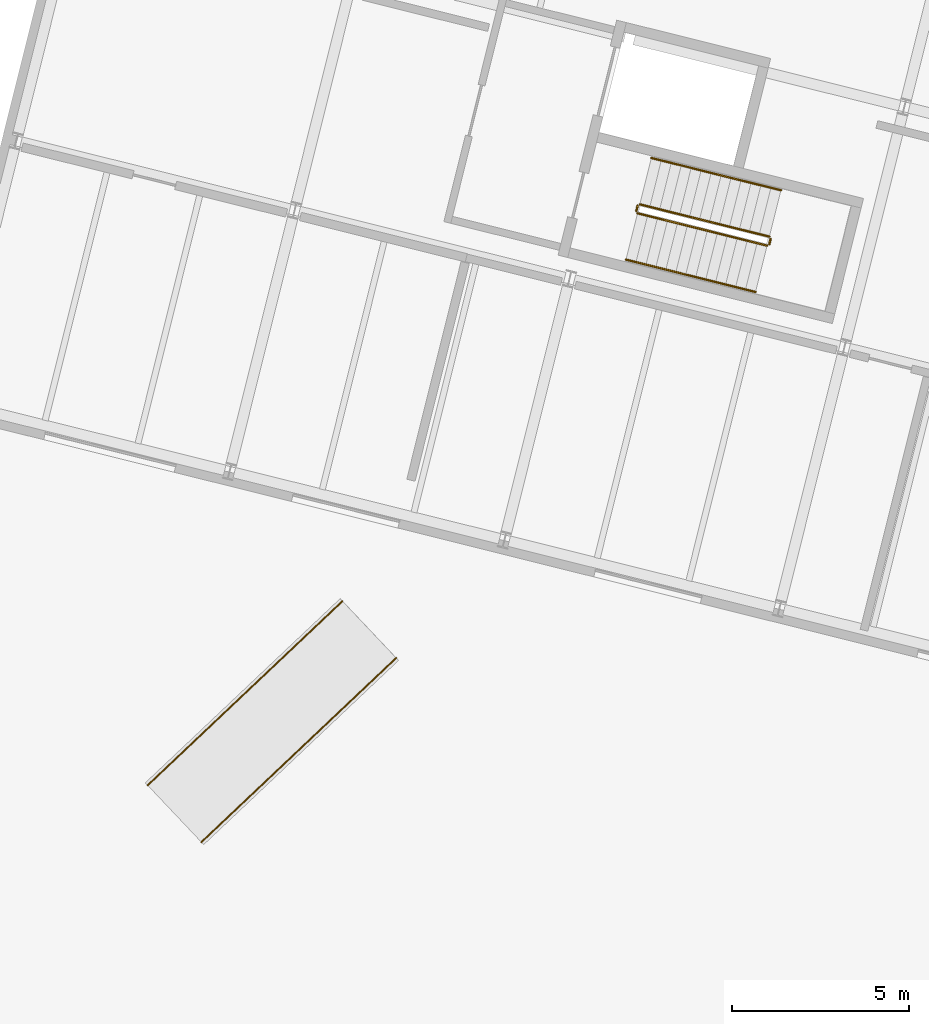
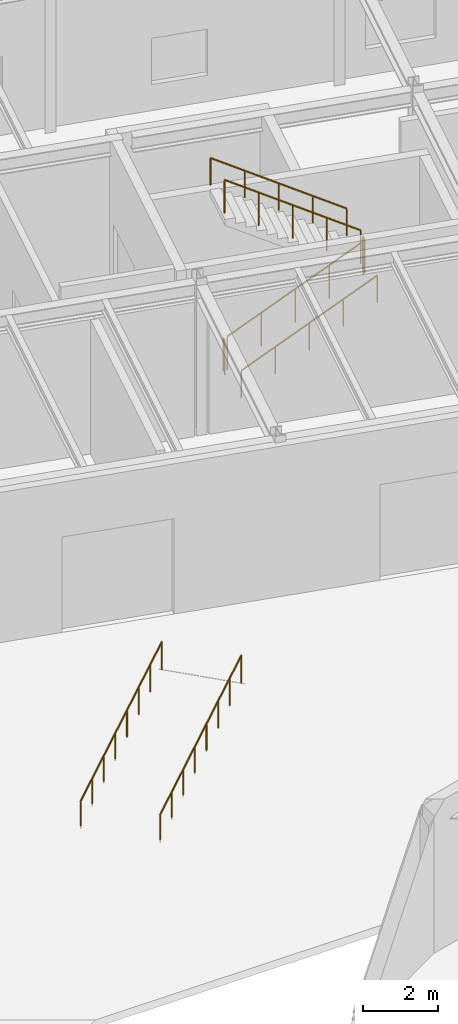
# One storey, part 91 of 97: 8 railings.
"""IFC4 building model written with IfcOpenShell, lengths in metres."""

from ifc_helpers import new_model, si_unit, direction, frame, origin, origin_2d, place, context, subcontext, project, spatial, circle, extrude, material, type_object, element, save


model = new_model("IFC4")

# Units and contexts
model_context = context("Model", 3, precision=1e-05, world=origin(), true_north=direction((0.0, 1.0)))
body_context = subcontext(model_context, "Body", "Model", "MODEL_VIEW")
ifc_project = project(units=[si_unit("LENGTHUNIT", "METRE"), si_unit("AREAUNIT", "SQUARE_METRE"), si_unit("VOLUMEUNIT", "CUBIC_METRE"), si_unit("PLANEANGLEUNIT", "RADIAN"), si_unit("MASSUNIT", "GRAM", prefix="KILO")], contexts=[model_context])

# Site, building, storey
site_placement = place(None, origin())
site = spatial("IfcSite", under=ifc_project, at=site_placement, CompositionType="ELEMENT")
building_placement = place(site_placement, origin())
building = spatial("IfcBuilding", under=site, at=building_placement, Name="Varnklinge Art Gallery", CompositionType="ELEMENT")
storey_placement = place(building_placement, origin())
storey = spatial("IfcBuildingStorey", under=building, at=storey_placement, Name="L00", CompositionType="ELEMENT", Elevation=0.0)

# Railings
ifc_material_1 = material(Name="Steel S355", Category="steel")
railing_type_1 = type_object("IfcRailingType", Name="GR-INT", PredefinedType="GUARDRAIL", material=ifc_material_1)
railing_1_placement = place(storey_placement, frame((25.0751953125, 90.95556640625, 0.18212890625)))
element("IfcRailing", 1, at=railing_1_placement, inside=storey, type_object=railing_type_1, Name="L00 ST-04 stair guard 1", PredefinedType="GUARDRAIL", context=body_context, shape_type="SweptSolid", body=[
    extrude(circle(Radius=0.02392578125, at=origin_2d()), frame((0.0, 0.0, 1.076171875), z_axis=(0.821675302073, -0.204870457057, 0.531862570396), x_axis=(0.241926114739, 0.970294674317, 0.0)), (0.0, 0.0, 1.0), 4.4521484375),
    extrude(circle(Radius=0.02099609375, at=origin_2d()), origin(), (0.0, 0.0, 1.0), 1.052001953125),
    extrude(circle(Radius=0.02099609375, at=origin_2d()), frame((0.91455078125, -0.22802734375, 0.592041015625)), (0.0, 0.0, 1.0), 1.052001953125),
    extrude(circle(Radius=0.02099609375, at=origin_2d()), frame((1.8291015625, -0.4560546875, 1.18408203125)), (0.0, 0.0, 1.0), 1.052001953125),
    extrude(circle(Radius=0.02099609375, at=origin_2d()), frame((2.74365234375, -0.68408203125, 1.77587890625)), (0.0, 0.0, 1.0), 1.052001953125),
    extrude(circle(Radius=0.02099609375, at=origin_2d()), frame((3.658203125, -0.912109375, 2.367919921875)), (0.0, 0.0, 1.0), 1.052001953125),
])
railing_2_placement = place(storey_placement, frame((28.7939453125, 90.079833984375, 2.550048828125)))
element("IfcRailing", 2, at=railing_2_placement, inside=storey, type_object=railing_type_1, Name="L00 ST-04 stair guard 2", PredefinedType="GUARDRAIL", context=body_context, shape_type="SweptSolid", body=[
    extrude(circle(Radius=0.02392578125, at=origin_2d()), frame((0.0, 0.0, 1.076171875), z_axis=(0.241099176539, 0.970500482778, 0.0), x_axis=(-0.970500482778, 0.241099176539, 0.0)), (0.0, 0.0, 1.0), 0.159912109375),
    extrude(circle(Radius=0.02099609375, at=origin_2d()), origin(), (0.0, 0.0, 1.0), 1.052001953125),
    extrude(circle(Radius=0.02099609375, at=origin_2d()), frame((0.03857421875, 0.1552734375, 0.0)), (0.0, 0.0, 1.0), 1.052001953125),
])
railing_3_placement = place(storey_placement, frame((28.796142578125, 90.295654296875, 2.732177734375)))
element("IfcRailing", 3, at=railing_3_placement, inside=storey, type_object=railing_type_1, Name="L00 ST-04 stair guard 3", PredefinedType="GUARDRAIL", context=body_context, shape_type="SweptSolid", body=[
    extrude(circle(Radius=0.02392578125, at=origin_2d()), frame((0.0, 0.0, 1.076171875), z_axis=(-0.821657487136, 0.204879688443, 0.531886535923), x_axis=(-0.241941316319, -0.97029088394, 0.0)), (0.0, 0.0, 1.0), 4.451904296875),
    extrude(circle(Radius=0.02099609375, at=origin_2d()), origin(), (0.0, 0.0, 1.0), 1.052001953125),
    extrude(circle(Radius=0.02099609375, at=origin_2d()), frame((-0.91455078125, 0.22802734375, 0.592041015625)), (0.0, 0.0, 1.0), 1.052001953125),
    extrude(circle(Radius=0.02099609375, at=origin_2d()), frame((-1.8291015625, 0.4560546875, 1.18408203125)), (0.0, 0.0, 1.0), 1.052001953125),
    extrude(circle(Radius=0.02099609375, at=origin_2d()), frame((-2.743408203125, 0.68408203125, 1.77587890625)), (0.0, 0.0, 1.0), 1.052001953125),
    extrude(circle(Radius=0.02099609375, at=origin_2d()), frame((-3.657958984375, 0.912109375, 2.367919921875)), (0.0, 0.0, 1.0), 1.052001953125),
])
railing_4_placement = place(storey_placement, frame((25.038818359375, 91.01611328125, 0.0)))
element("IfcRailing", 4, at=railing_4_placement, inside=storey, type_object=railing_type_1, Name="L00 ST-04 stair guard 4", PredefinedType="GUARDRAIL", context=body_context, shape_type="SweptSolid", body=[
    extrude(circle(Radius=0.02392578125, at=origin_2d()), frame((0.0, 0.0, 1.076171875), z_axis=(0.242535625036, 0.970142500145, 0.0), x_axis=(-0.970142500145, 0.242535625036, 0.0)), (0.0, 0.0, 1.0), 0.16015625),
    extrude(circle(Radius=0.02099609375, at=origin_2d()), origin(), (0.0, 0.0, 1.0), 1.052001953125),
    extrude(circle(Radius=0.02099609375, at=origin_2d()), frame((0.038818359375, 0.1552734375, 0.0)), (0.0, 0.0, 1.0), 1.052001953125),
])
ifc_material_2 = material(Name="Steel S355", Category="steel")
railing_type_2 = type_object("IfcRailingType", Name="HR-01", PredefinedType="HANDRAIL", material=ifc_material_2)
railing_5_placement = place(storey_placement, frame((24.748779296875, 89.645751953125, 0.18212890625)))
element("IfcRailing", 5, at=railing_5_placement, inside=storey, type_object=railing_type_2, Name="L00 ST-04 stair handrail 1", PredefinedType="HANDRAIL", context=body_context, shape_type="SweptSolid", body=[
    extrude(circle(Radius=0.02392578125, at=origin_2d()), frame((0.0, 0.0, 0.8759765625), z_axis=(0.821657487136, -0.204879688443, 0.531886535923), x_axis=(0.241941316319, 0.97029088394, 0.0)), (0.0, 0.0, 1.0), 4.451904296875),
    extrude(circle(Radius=0.02099609375, at=origin_2d()), origin(), (0.0, 0.0, 1.0), 0.851806640625),
    extrude(circle(Radius=0.02099609375, at=origin_2d()), frame((0.91455078125, -0.22802734375, 0.592041015625)), (0.0, 0.0, 1.0), 0.851806640625),
    extrude(circle(Radius=0.02099609375, at=origin_2d()), frame((1.8291015625, -0.4560546875, 1.18408203125)), (0.0, 0.0, 1.0), 0.851806640625),
    extrude(circle(Radius=0.02099609375, at=origin_2d()), frame((2.743408203125, -0.68408203125, 1.77587890625)), (0.0, 0.0, 1.0), 0.851806640625),
    extrude(circle(Radius=0.02099609375, at=origin_2d()), frame((3.657958984375, -0.912109375, 2.367919921875)), (0.0, 0.0, 1.0), 0.851806640625),
])
railing_6_placement = place(storey_placement, frame((29.122802734375, 91.605712890625, 2.732177734375)))
element("IfcRailing", 6, at=railing_6_placement, inside=storey, type_object=railing_type_2, Name="L00 ST-04 stair handrail 2", PredefinedType="HANDRAIL", context=body_context, shape_type="SweptSolid", body=[
    extrude(circle(Radius=0.02392578125, at=origin_2d()), frame((0.0, 0.0, 0.8759765625), z_axis=(-0.821657487136, 0.204879688443, 0.531886535923), x_axis=(-0.241941316319, -0.97029088394, 0.0)), (0.0, 0.0, 1.0), 4.451904296875),
    extrude(circle(Radius=0.02099609375, at=origin_2d()), origin(), (0.0, 0.0, 1.0), 0.851806640625),
    extrude(circle(Radius=0.02099609375, at=origin_2d()), frame((-0.91455078125, 0.22802734375, 0.592041015625)), (0.0, 0.0, 1.0), 0.851806640625),
    extrude(circle(Radius=0.02099609375, at=origin_2d()), frame((-1.8291015625, 0.4560546875, 1.18408203125)), (0.0, 0.0, 1.0), 0.851806640625),
    extrude(circle(Radius=0.02099609375, at=origin_2d()), frame((-2.743408203125, 0.68408203125, 1.77587890625)), (0.0, 0.0, 1.0), 0.851806640625),
    extrude(circle(Radius=0.02099609375, at=origin_2d()), frame((-3.657958984375, 0.912109375, 2.367919921875)), (0.0, 0.0, 1.0), 0.851806640625),
])
for number, where, name in (
    (7, (12.758544921875, 73.19775390625, -0.10009765625), "L00 Northwest Barrier-Free Pedestrian Entrance Ramp Handrail L"),
    (8, (11.241455078125, 74.80224609375, -0.10009765625), "L00 Northwest Barrier-Free Pedestrian Entrance Ramp Handrail R"),
):
    element("IfcRailing", number, at=place(storey_placement, frame(where)), inside=storey, type_object=railing_type_2, Name=name, PredefinedType="HANDRAIL", context=body_context, shape_type="SweptSolid", body=[
        extrude(circle(Radius=0.02392578125, at=origin_2d()), frame((0.0, 0.0, 0.89599609375), z_axis=(0.726586340216, 0.686947907505, 0.013223561767), x_axis=(-0.687007976126, 0.726649874932, 0.0)), (0.0, 0.0, 1.0), 7.569580078125),
        extrude(circle(Radius=0.02099609375, at=origin_2d()), origin(), (0.0, 0.0, 1.0), 0.871826171875),
        extrude(circle(Radius=0.02099609375, at=origin_2d()), frame((0.78564453125, 0.742919921875, 0.014404296875)), (0.0, 0.0, 1.0), 0.871826171875),
        extrude(circle(Radius=0.02099609375, at=origin_2d()), frame((1.571533203125, 1.485595703125, 0.028564453125)), (0.0, 0.0, 1.0), 0.871826171875),
        extrude(circle(Radius=0.02099609375, at=origin_2d()), frame((2.357177734375, 2.228515625, 0.04296875)), (0.0, 0.0, 1.0), 0.871826171875),
        extrude(circle(Radius=0.02099609375, at=origin_2d()), frame((3.142822265625, 2.971435546875, 0.05712890625)), (0.0, 0.0, 1.0), 0.871826171875),
        extrude(circle(Radius=0.02099609375, at=origin_2d()), frame((3.928466796875, 3.71435546875, 0.071533203125)), (0.0, 0.0, 1.0), 0.871826171875),
        extrude(circle(Radius=0.02099609375, at=origin_2d()), frame((4.71435546875, 4.45703125, 0.085693359375)), (0.0, 0.0, 1.0), 0.871826171875),
        extrude(circle(Radius=0.02099609375, at=origin_2d()), frame((5.5, 5.199951171875, 0.10009765625)), (0.0, 0.0, 1.0), 0.871826171875),
    ])

save(model, "model.ifc")
